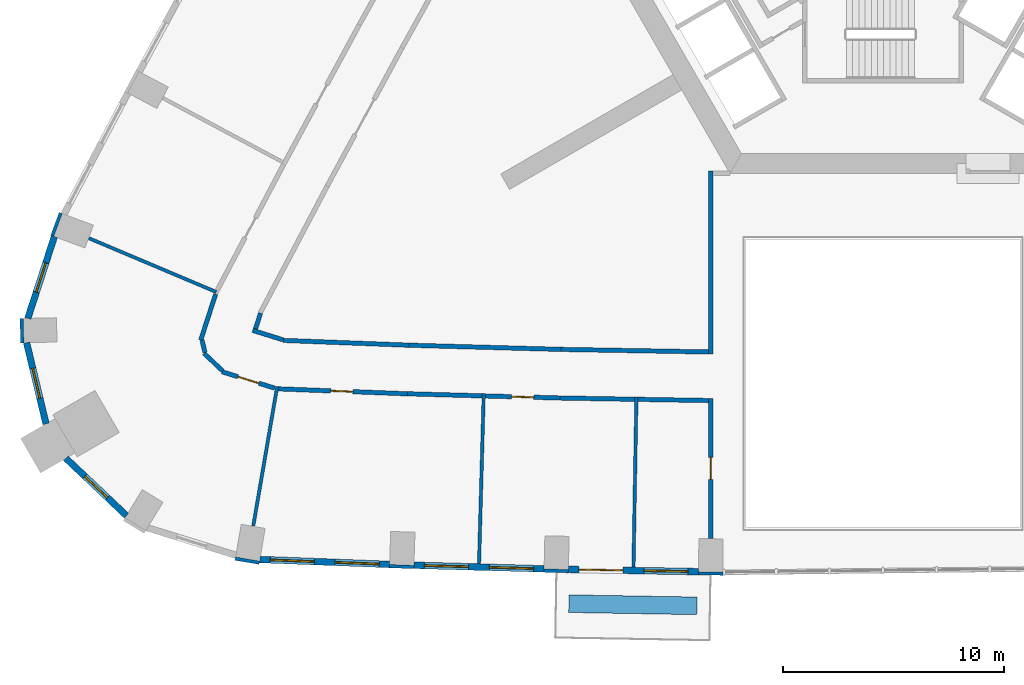
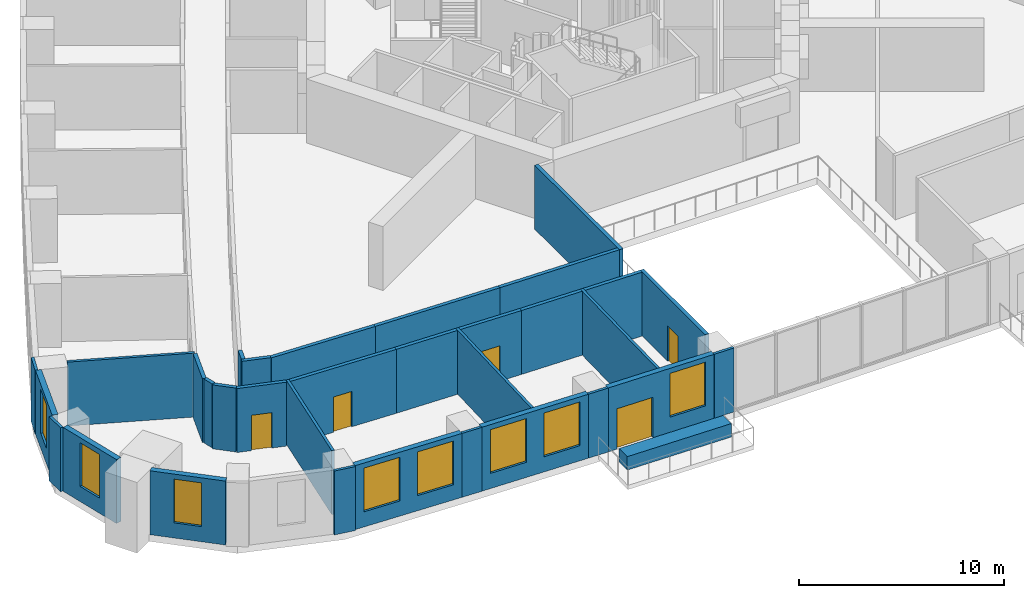
# One storey, part 4 of 14: 33 walls, 8 windows, 5 doors, 13 openings.
"""IFC4 building model written with IfcOpenShell, lengths in metres."""

from ifc_helpers import new_model, si_unit, direction, frame, frame_2d, origin, place, context, subcontext, project, spatial, rectangle, extrude, material, layer, layer_set, type_object, element, fill, save


model = new_model("IFC4")

# Units and contexts
model_context = context("Model", 3, precision=1e-05, world=origin(), true_north=direction((0.0, 1.0)))
body_context = subcontext(model_context, "Body", "Model", "MODEL_VIEW")
ifc_project = project(units=[si_unit("LENGTHUNIT", "METRE"), si_unit("AREAUNIT", "SQUARE_METRE"), si_unit("VOLUMEUNIT", "CUBIC_METRE"), si_unit("PLANEANGLEUNIT", "RADIAN"), si_unit("MASSUNIT", "GRAM", prefix="KILO")], contexts=[model_context])

# Site, building, storey
site_placement = place(None, origin())
site = spatial("IfcSite", under=ifc_project, at=site_placement, CompositionType="ELEMENT")
building_placement = place(site_placement, origin())
building = spatial("IfcBuilding", under=site, at=building_placement, Name="Entoto Arch Interchange Tower", CompositionType="ELEMENT")
storey_placement = place(building_placement, frame((0.0, 0.0, 116.0)))
storey = spatial("IfcBuildingStorey", under=building, at=storey_placement, Name="L25", CompositionType="ELEMENT", Elevation=116.0)

# Walls
ifc_material_1 = material(Name="Gypsum board partition on steel studs", Category="steel")
ifc_layer_1 = layer(ifc_material_1, 0.14990234375)
ifc_layer_set_1 = layer_set([ifc_layer_1], Name="Gypsum board partition on steel studs")
wall_type_1 = type_object("IfcWallType", Name="PARTITION 150", PredefinedType="PARTITIONING", material=ifc_layer_set_1)
wall_1_placement = place(storey_placement, frame((-30.174072265625, -14.866943359375, 0.0), z_axis=(0.0, 0.0, 1.0), x_axis=(-0.921262609517, 0.388941132185, 0.0)))
element("IfcWall", 1, at=wall_1_placement, inside=storey, type_object=wall_type_1, Name="wall:L25:p133", PredefinedType="PARTITIONING", context=body_context, shape_type="SweptSolid", body=[
    extrude(rectangle(XDim=6.257568359375, YDim=0.14990234375, at=frame_2d((3.12890625, 0.0))), origin(), (0.0, 0.0, 1.0), 3.800048828125),
])
wall_2_placement = place(storey_placement, frame((-27.419921875, -19.14794921875, 0.0), z_axis=(0.0, 0.0, 1.0), x_axis=(-0.169086648341, -0.985601189809, 0.0)))
element("IfcWall", 2, at=wall_2_placement, inside=storey, type_object=wall_type_1, Name="wall:L25:p134", PredefinedType="PARTITIONING", context=body_context, shape_type="SweptSolid", body=[
    extrude(rectangle(XDim=6.399169921875, YDim=0.14990234375, at=frame_2d((3.19970703125, 0.0))), origin(), (0.0, 0.0, 1.0), 3.800048828125),
])
wall_3_placement = place(storey_placement, frame((-18.071044921875, -19.468994140625, 0.0), z_axis=(0.0, 0.0, 1.0), x_axis=(-0.027648258523, -0.999617713829, 0.0)))
element("IfcWall", 3, at=wall_3_placement, inside=storey, type_object=wall_type_1, Name="wall:L25:p135", PredefinedType="PARTITIONING", context=body_context, shape_type="SweptSolid", body=[
    extrude(rectangle(XDim=7.699951171875, YDim=0.14990234375, at=frame_2d((3.85009765625, 0.0))), origin(), (0.0, 0.0, 1.0), 3.800048828125),
])
wall_4_placement = place(storey_placement, frame((-11.160888671875, -19.623046875, 0.0), z_axis=(0.0, 0.0, 1.0), x_axis=(-0.017153017473, -0.999852876173, 0.0)))
element("IfcWall", 4, at=wall_4_placement, inside=storey, type_object=wall_type_1, Name="wall:L25:p136", PredefinedType="PARTITIONING", context=body_context, shape_type="SweptSolid", body=[
    extrude(rectangle(XDim=7.7001953125, YDim=0.14990234375, at=frame_2d((3.85009765625, 0.0))), origin(), (0.0, 0.0, 1.0), 3.800048828125),
])
ifc_layer_2 = layer(ifc_material_1, 0.199951171875)
ifc_layer_set_2 = layer_set([ifc_layer_2], Name="Gypsum board partition on steel studs")
wall_type_2 = type_object("IfcWallType", Name="PARTITION 200", PredefinedType="PARTITIONING", material=ifc_layer_set_2)
wall_5_placement = place(storey_placement, frame((-28.1708984375, -15.821044921875, 0.0), z_axis=(0.0, 0.0, 1.0), x_axis=(-0.308053137273, -0.951369152651, 0.0)))
element("IfcWall", 5, at=wall_5_placement, inside=storey, type_object=wall_type_2, Name="wall:L25:p031", PredefinedType="PARTITIONING", context=body_context, shape_type="SweptSolid", body=[
    extrude(rectangle(XDim=0.753662109375, YDim=0.199951171875, at=frame_2d((0.376953125, 0.0))), origin(), (0.0, 0.0, 1.0), 3.800048828125),
])
wall_6_placement = place(storey_placement, frame((-28.529052734375, -16.60302734375, 0.0), z_axis=(0.0, 0.0, 1.0), x_axis=(0.954829998701, -0.297152609916, 0.0)))
element("IfcWall", 6, at=wall_6_placement, inside=storey, type_object=wall_type_2, Name="wall:L25:p032", PredefinedType="PARTITIONING", context=body_context, shape_type="SweptSolid", body=[
    extrude(rectangle(XDim=1.43701171875, YDim=0.199951171875, at=frame_2d((0.718505859375, 0.0))), origin(), (0.0, 0.0, 1.0), 3.800048828125),
])
wall_7_placement = place(storey_placement, frame((-27.162109375, -17.055908203125, 0.0), z_axis=(0.0, 0.0, 1.0), x_axis=(0.999270868304, -0.038180253525, 0.0)))
element("IfcWall", 7, at=wall_7_placement, inside=storey, type_object=wall_type_2, Name="wall:L25:p033", PredefinedType="PARTITIONING", context=body_context, shape_type="SweptSolid", body=[
    extrude(rectangle(XDim=5.710205078125, YDim=0.199951171875, at=frame_2d((2.85498046875, 0.0))), origin(), (0.0, 0.0, 1.0), 3.800048828125),
])
wall_8_placement = place(storey_placement, frame((-21.4560546875, -17.27392578125, 0.0), z_axis=(0.0, 0.0, 1.0), x_axis=(0.999618915549, -0.02760477632, 0.0)))
element("IfcWall", 8, at=wall_8_placement, inside=storey, type_object=wall_type_2, Name="wall:L25:p034", PredefinedType="PARTITIONING", context=body_context, shape_type="SweptSolid", body=[
    extrude(rectangle(XDim=6.8896484375, YDim=0.199951171875, at=frame_2d((3.44482421875, 0.0))), origin(), (0.0, 0.0, 1.0), 3.800048828125),
])
wall_9_placement = place(storey_placement, frame((-14.569091796875, -17.464111328125, 0.0), z_axis=(0.0, 0.0, 1.0), x_axis=(0.999851389672, -0.017239448129, 0.0)))
element("IfcWall", 9, at=wall_9_placement, inside=storey, type_object=wall_type_2, Name="wall:L25:p035", PredefinedType="PARTITIONING", context=body_context, shape_type="SweptSolid", body=[
    extrude(rectangle(XDim=6.670166015625, YDim=0.199951171875, at=frame_2d((3.3349609375, 0.0))), origin(), (0.0, 0.0, 1.0), 3.800048828125),
])

# Wall, opening, door
wall_10_placement = place(storey_placement, frame((-27.532958984375, -19.217041015625, 0.0), z_axis=(0.0, 0.0, 1.0), x_axis=(-0.954946345159, 0.296778499671, 0.0)))
wall_10 = element("IfcWall", 10, at=wall_10_placement, inside=storey, type_object=wall_type_2, Name="wall:L25:p069", PredefinedType="PARTITIONING", context=body_context, shape_type="SweptSolid", body=[
    extrude(rectangle(XDim=2.490234375, YDim=0.199951171875, at=frame_2d((1.2451171875, 0.0))), origin(), (0.0, 0.0, 1.0), 3.800048828125),
])
opening_1_placement = place(wall_10_placement, frame((0.7451171875, 0.0, 0.0)))
opening_1 = element("IfcOpeningElement", 11, at=opening_1_placement, cuts=wall_10, Name="Opening L25-D16", PredefinedType="OPENING", context=body_context, shape_type="SweptSolid", body=[
    extrude(rectangle(XDim=1.0, YDim=2.10009765625, at=frame_2d((0.5, 1.050048828125))), frame((0.0, 0.10986328125, 0.0), z_axis=(0.0, -1.0, 0.0), x_axis=(1.0, 0.0, 0.0)), (0.0, 0.0, 1.0), 0.219970703125),
])
ifc_material_2 = material(Name="Timber door leaf in Steel S235 frame", Category="steel")
door_type_1 = type_object("IfcDoorType", Name="DOOR DS-10 1000x2100", OperationType="SINGLE_SWING_LEFT", PredefinedType="DOOR", material=ifc_material_2)
door_1_placement = place(opening_1_placement, origin())
door_1 = element("IfcDoor", 12, at=door_1_placement, inside=storey, type_object=door_type_1, Name="door:L25:16", OperationType="SINGLE_SWING_LEFT", OverallHeight=2.10009765625, OverallWidth=1.0, PredefinedType="DOOR", context=body_context, shape_type="SweptSolid", body=[
    extrude(rectangle(XDim=1.0, YDim=2.10009765625, at=frame_2d((0.5, 1.050048828125))), frame((0.0, 0.02490234375, 0.0), z_axis=(0.0, -1.0, 0.0), x_axis=(1.0, 0.0, 0.0)), (0.0, 0.0, 1.0), 0.050048828125),
])
fill(opening_1, door_1)

# Walls
wall_11_placement = place(storey_placement, frame((-29.887939453125, -18.43896484375, 0.0), z_axis=(0.0, 0.0, 1.0), x_axis=(-0.726155646563, 0.687530346214, 0.0)))
element("IfcWall", 13, at=wall_11_placement, inside=storey, type_object=wall_type_2, Name="wall:L25:p070", PredefinedType="PARTITIONING", context=body_context, shape_type="SweptSolid", body=[
    extrude(rectangle(XDim=1.16943359375, YDim=0.199951171875, at=frame_2d((0.584716796875, 0.0))), origin(), (0.0, 0.0, 1.0), 3.800048828125),
])
wall_12_placement = place(storey_placement, frame((-30.68701171875, -17.60693359375, 0.0), z_axis=(0.0, 0.0, 1.0), x_axis=(-0.232504544059, 0.972595309978, 0.0)))
element("IfcWall", 14, at=wall_12_placement, inside=storey, type_object=wall_type_2, Name="wall:L25:p071", PredefinedType="PARTITIONING", context=body_context, shape_type="SweptSolid", body=[
    extrude(rectangle(XDim=0.5849609375, YDim=0.199951171875, at=frame_2d((0.29248046875, 0.0))), origin(), (0.0, 0.0, 1.0), 3.800048828125),
])
wall_13_placement = place(storey_placement, frame((-30.8779296875, -17.035888671875, 0.0), z_axis=(0.0, 0.0, 1.0), x_axis=(0.308592319841, 0.951194396606, 0.0)))
element("IfcWall", 15, at=wall_13_placement, inside=storey, type_object=wall_type_2, Name="wall:L25:p072", PredefinedType="PARTITIONING", context=body_context, shape_type="SweptSolid", body=[
    extrude(rectangle(XDim=2.180419921875, YDim=0.199951171875, at=frame_2d((1.09033203125, 0.0))), origin(), (0.0, 0.0, 1.0), 3.800048828125),
])
wall_14_placement = place(storey_placement, frame((-18.14892578125, -19.56591796875, 0.0), z_axis=(0.0, 0.0, 1.0), x_axis=(-0.999621568347, 0.027508545868, 0.0)))
element("IfcWall", 16, at=wall_14_placement, inside=storey, type_object=wall_type_2, Name="wall:L25:p073", PredefinedType="PARTITIONING", context=body_context, shape_type="SweptSolid", body=[
    extrude(rectangle(XDim=3.38134765625, YDim=0.199951171875, at=frame_2d((1.690673828125, 0.0))), origin(), (0.0, 0.0, 1.0), 3.800048828125),
])

# Wall, opening, door
wall_15_placement = place(storey_placement, frame((-21.529052734375, -19.472900390625, 0.0), z_axis=(0.0, 0.0, 1.0), x_axis=(-0.999270076349, 0.038200975307, 0.0)))
wall_15 = element("IfcWall", 17, at=wall_15_placement, inside=storey, type_object=wall_type_2, Name="wall:L25:p074", PredefinedType="PARTITIONING", context=body_context, shape_type="SweptSolid", body=[
    extrude(rectangle(XDim=5.937255859375, YDim=0.199951171875, at=frame_2d((2.96875, 0.0))), origin(), (0.0, 0.0, 1.0), 3.800048828125),
])
opening_2_placement = place(wall_15_placement, frame((2.468994140625, 0.0, 0.0)))
opening_2 = element("IfcOpeningElement", 18, at=opening_2_placement, cuts=wall_15, Name="Opening L25-D17", PredefinedType="OPENING", context=body_context, shape_type="SweptSolid", body=[
    extrude(rectangle(XDim=1.0, YDim=2.10009765625, at=frame_2d((0.5, 1.050048828125))), frame((0.0, 0.10986328125, 0.0), z_axis=(0.0, -1.0, 0.0), x_axis=(1.0, 0.0, 0.0)), (0.0, 0.0, 1.0), 0.219970703125),
])
door_2_placement = place(opening_2_placement, origin())
door_2 = element("IfcDoor", 19, at=door_2_placement, inside=storey, type_object=door_type_1, Name="door:L25:17", OperationType="SINGLE_SWING_LEFT", OverallHeight=2.10009765625, OverallWidth=1.0, PredefinedType="DOOR", context=body_context, shape_type="SweptSolid", body=[
    extrude(rectangle(XDim=1.0, YDim=2.10009765625, at=frame_2d((0.5, 1.050048828125))), frame((0.0, 0.02490234375, 0.0), z_axis=(0.0, -1.0, 0.0), x_axis=(1.0, 0.0, 0.0)), (0.0, 0.0, 1.0), 0.050048828125),
])
fill(opening_2, door_2)

# Wall
wall_16_placement = place(storey_placement, frame((-11.237060546875, -19.721923828125, 0.0), z_axis=(0.0, 0.0, 1.0), x_axis=(-0.999853581081, 0.017111878879, 0.0)))
element("IfcWall", 20, at=wall_16_placement, inside=storey, type_object=wall_type_2, Name="wall:L25:p075", PredefinedType="PARTITIONING", context=body_context, shape_type="SweptSolid", body=[
    extrude(rectangle(XDim=3.38134765625, YDim=0.199951171875, at=frame_2d((1.690673828125, 0.0))), origin(), (0.0, 0.0, 1.0), 3.800048828125),
])

# Wall, opening, door
wall_17_placement = place(storey_placement, frame((-14.617919921875, -19.6640625, 0.0), z_axis=(0.0, 0.0, 1.0), x_axis=(-0.999621786796, 0.027500606598, 0.0)))
wall_17 = element("IfcWall", 21, at=wall_17_placement, inside=storey, type_object=wall_type_2, Name="wall:L25:p076", PredefinedType="PARTITIONING", context=body_context, shape_type="SweptSolid", body=[
    extrude(rectangle(XDim=3.38232421875, YDim=0.199951171875, at=frame_2d((1.691162109375, 0.0))), origin(), (0.0, 0.0, 1.0), 3.800048828125),
])
opening_3_placement = place(wall_17_placement, frame((1.19091796875, 0.0, 0.0)))
opening_3 = element("IfcOpeningElement", 22, at=opening_3_placement, cuts=wall_17, Name="Opening L25-D18", PredefinedType="OPENING", context=body_context, shape_type="SweptSolid", body=[
    extrude(rectangle(XDim=1.0, YDim=2.10009765625, at=frame_2d((0.5, 1.050048828125))), frame((0.0, 0.10986328125, 0.0), z_axis=(0.0, -1.0, 0.0), x_axis=(1.0, 0.0, 0.0)), (0.0, 0.0, 1.0), 0.219970703125),
])
door_3_placement = place(opening_3_placement, origin())
door_3 = element("IfcDoor", 23, at=door_3_placement, inside=storey, type_object=door_type_1, Name="door:L25:18", OperationType="SINGLE_SWING_LEFT", OverallHeight=2.10009765625, OverallWidth=1.0, PredefinedType="DOOR", context=body_context, shape_type="SweptSolid", body=[
    extrude(rectangle(XDim=1.0, YDim=2.10009765625, at=frame_2d((0.5, 1.050048828125))), frame((0.0, 0.02490234375, 0.0), z_axis=(0.0, -1.0, 0.0), x_axis=(1.0, 0.0, 0.0)), (0.0, 0.0, 1.0), 0.050048828125),
])
fill(opening_3, door_3)

# Walls
wall_18_placement = place(storey_placement, frame((-7.89990234375, -19.779052734375, 0.0), z_axis=(0.0, 0.0, 1.0), x_axis=(-0.999851582532, 0.017228259004, 0.0)))
element("IfcWall", 24, at=wall_18_placement, inside=storey, type_object=wall_type_2, Name="wall:L25:p077", PredefinedType="PARTITIONING", context=body_context, shape_type="SweptSolid", body=[
    extrude(rectangle(XDim=3.1884765625, YDim=0.199951171875, at=frame_2d((1.59423828125, 0.0))), origin(), (0.0, 0.0, 1.0), 3.800048828125),
])
wall_19_placement = place(storey_placement, frame((-7.800048828125, -17.680908203125, 0.0), z_axis=(0.0, 0.0, 1.0), x_axis=(0.0, 1.0, 0.0)))
element("IfcWall", 25, at=wall_19_placement, inside=storey, type_object=wall_type_2, Name="wall:L25:p110", PredefinedType="PARTITIONING", context=body_context, shape_type="SweptSolid", body=[
    extrude(rectangle(XDim=8.281982421875, YDim=0.199951171875, at=frame_2d((4.14111328125, 0.0))), origin(), (0.0, 0.0, 1.0), 3.800048828125),
])

# Wall, opening, door
wall_20_placement = place(storey_placement, frame((-7.800048828125, -26.011962890625, 0.0), z_axis=(0.0, 0.0, 1.0), x_axis=(0.0, 1.0, 0.0)))
wall_20 = element("IfcWall", 26, at=wall_20_placement, inside=storey, type_object=wall_type_2, Name="wall:L25:p113", PredefinedType="PARTITIONING", context=body_context, shape_type="SweptSolid", body=[
    extrude(rectangle(XDim=6.3310546875, YDim=0.199951171875, at=frame_2d((3.16552734375, 0.0))), origin(), (0.0, 0.0, 1.0), 3.800048828125),
])
opening_4_placement = place(wall_20_placement, frame((2.666015625, 0.0, 0.0)))
opening_4 = element("IfcOpeningElement", 27, at=opening_4_placement, cuts=wall_20, Name="Opening L25-D19", PredefinedType="OPENING", context=body_context, shape_type="SweptSolid", body=[
    extrude(rectangle(XDim=1.0, YDim=2.10009765625, at=frame_2d((0.5, 1.050048828125))), frame((0.0, 0.10986328125, 0.0), z_axis=(0.0, -1.0, 0.0), x_axis=(1.0, 0.0, 0.0)), (0.0, 0.0, 1.0), 0.219970703125),
])
door_4_placement = place(opening_4_placement, origin())
door_4 = element("IfcDoor", 28, at=door_4_placement, inside=storey, type_object=door_type_1, Name="door:L25:19", OperationType="SINGLE_SWING_LEFT", OverallHeight=2.10009765625, OverallWidth=1.0, PredefinedType="DOOR", context=body_context, shape_type="SweptSolid", body=[
    extrude(rectangle(XDim=1.0, YDim=2.10009765625, at=frame_2d((0.5, 1.050048828125))), frame((0.0, 0.02490234375, 0.0), z_axis=(0.0, -1.0, 0.0), x_axis=(1.0, 0.0, 0.0)), (0.0, 0.0, 1.0), 0.050048828125),
])
fill(opening_4, door_4)

# Wall
ifc_material_3 = material(Name="Board-marked precast concrete C50/60", Category="concrete")
ifc_layer_3 = layer(ifc_material_3, 0.800048828125)
ifc_layer_set_3 = layer_set([ifc_layer_3], Name="Board-marked precast concrete C50/60")
wall_type_3 = type_object("IfcWallType", Name="PLANTER RC 800 Juniperus procera", PredefinedType="STANDARD", material=ifc_layer_set_3)
wall_21_placement = place(storey_placement, frame((-14.218994140625, -28.971923828125, 0.0), z_axis=(0.0, 0.0, 1.0), x_axis=(0.999853744664, -0.017102318012, 0.0)))
element("IfcWall", 29, at=wall_21_placement, inside=storey, type_object=wall_type_3, Name="Planter S-03 L25", PredefinedType="STANDARD", context=body_context, shape_type="SweptSolid", body=[
    extrude(rectangle(XDim=5.795654296875, YDim=0.800048828125, at=frame_2d((2.89794921875, 0.0))), origin(), (0.0, 0.0, 1.0), 0.800048828125),
])

# Wall, openings, windows
ifc_material_4 = material(Name="Welded tuff (ignimbrite) cladding, warm buff", Category="masonry")
ifc_layer_4 = layer(ifc_material_4, 0.300048828125)
ifc_layer_set_4 = layer_set([ifc_layer_4], Name="Welded tuff (ignimbrite) cladding, warm buff")
wall_type_4 = type_object("IfcWallType", Name="STONE INFILL WALL 300", PredefinedType="STANDARD", material=ifc_layer_set_4)
wall_22_placement = place(storey_placement, frame((-28.205078125, -26.972900390625, 0.0), z_axis=(0.0, 0.0, 1.0), x_axis=(0.999266319694, -0.03829911651, 0.0)))
wall_22 = element("IfcWall", 30, at=wall_22_placement, inside=storey, type_object=wall_type_4, Name="Facade wall S-01 L25", PredefinedType="STANDARD", context=body_context, shape_type="SweptSolid", body=[
    extrude(rectangle(XDim=5.87744140625, YDim=0.300048828125, at=frame_2d((2.938720703125, 0.0))), origin(), (0.0, 0.0, 1.0), 3.800048828125),
])
opening_5_placement = place(wall_22_placement, frame((0.468994140625, 0.0, 0.89990234375)))
opening_5 = element("IfcOpeningElement", 31, at=opening_5_placement, cuts=wall_22, Name="Opening WO-C", PredefinedType="OPENING", context=body_context, shape_type="SweptSolid", body=[
    extrude(rectangle(XDim=2.0, YDim=2.60009765625, at=frame_2d((1.0, 1.300048828125))), frame((0.0, 0.16015625, 0.0), z_axis=(0.0, -1.0, 0.0), x_axis=(1.0, 0.0, 0.0)), (0.0, 0.0, 1.0), 0.320068359375),
])
opening_6_placement = place(wall_22_placement, frame((3.407958984375, 0.0, 0.89990234375)))
opening_6 = element("IfcOpeningElement", 32, at=opening_6_placement, cuts=wall_22, Name="Opening WO-C", PredefinedType="OPENING", context=body_context, shape_type="SweptSolid", body=[
    extrude(rectangle(XDim=2.0, YDim=2.60009765625, at=frame_2d((1.0, 1.300048828125))), frame((0.0, 0.16015625, 0.0), z_axis=(0.0, -1.0, 0.0), x_axis=(1.0, 0.0, 0.0)), (0.0, 0.0, 1.0), 0.320068359375),
])
ifc_material_5 = material(Name="Clear glass, low-e double glazed", Category="glass")
window_type_1 = type_object("IfcWindowType", Name="WINDOW WO-C 2000x2600", PartitioningType="DOUBLE_PANEL_VERTICAL", PredefinedType="WINDOW", material=ifc_material_5)
window_1_placement = place(opening_5_placement, origin())
window_1 = element("IfcWindow", 33, at=window_1_placement, inside=storey, type_object=window_type_1, Name="Window WO-C S-01 L25", OverallHeight=2.60009765625, OverallWidth=2.0, PartitioningType="SINGLE_PANEL", PredefinedType="WINDOW", context=body_context, shape_type="SweptSolid", body=[
    extrude(rectangle(XDim=2.0, YDim=2.60009765625, at=frame_2d((1.0, 1.300048828125))), frame((0.0, 0.030029296875, 0.0), z_axis=(0.0, -1.0, 0.0), x_axis=(1.0, 0.0, 0.0)), (0.0, 0.0, 1.0), 0.06005859375),
])
fill(opening_5, window_1)
window_2_placement = place(opening_6_placement, origin())
window_2 = element("IfcWindow", 34, at=window_2_placement, inside=storey, type_object=window_type_1, Name="Window WO-C S-01 L25", OverallHeight=2.60009765625, OverallWidth=2.0, PartitioningType="SINGLE_PANEL", PredefinedType="WINDOW", context=body_context, shape_type="SweptSolid", body=[
    extrude(rectangle(XDim=2.0, YDim=2.60009765625, at=frame_2d((1.0, 1.300048828125))), frame((0.0, 0.030029296875, 0.0), z_axis=(0.0, -1.0, 0.0), x_axis=(1.0, 0.0, 0.0)), (0.0, 0.0, 1.0), 0.06005859375),
])
fill(opening_6, window_2)

wall_23_placement = place(storey_placement, frame((-21.235107421875, -27.23388671875, 0.0), z_axis=(0.0, 0.0, 1.0), x_axis=(0.999617542368, -0.027654456983, 0.0)))
wall_23 = element("IfcWall", 35, at=wall_23_placement, inside=storey, type_object=wall_type_4, Name="Facade wall S-02 L25", PredefinedType="STANDARD", context=body_context, shape_type="SweptSolid", body=[
    extrude(rectangle(XDim=5.897216796875, YDim=0.300048828125, at=frame_2d((2.94873046875, 0.0))), origin(), (0.0, 0.0, 1.0), 3.800048828125),
])
opening_7_placement = place(wall_23_placement, frame((0.47412109375, 0.0, 0.89990234375)))
opening_7 = element("IfcOpeningElement", 36, at=opening_7_placement, cuts=wall_23, Name="Opening WO-C", PredefinedType="OPENING", context=body_context, shape_type="SweptSolid", body=[
    extrude(rectangle(XDim=2.0, YDim=2.60009765625, at=frame_2d((1.0, 1.300048828125))), frame((0.0, 0.16015625, 0.0), z_axis=(0.0, -1.0, 0.0), x_axis=(1.0, 0.0, 0.0)), (0.0, 0.0, 1.0), 0.320068359375),
])
opening_8_placement = place(wall_23_placement, frame((3.423095703125, 0.0, 0.89990234375)))
opening_8 = element("IfcOpeningElement", 37, at=opening_8_placement, cuts=wall_23, Name="Opening WO-C", PredefinedType="OPENING", context=body_context, shape_type="SweptSolid", body=[
    extrude(rectangle(XDim=2.0, YDim=2.60009765625, at=frame_2d((1.0, 1.300048828125))), frame((0.0, 0.16015625, 0.0), z_axis=(0.0, -1.0, 0.0), x_axis=(1.0, 0.0, 0.0)), (0.0, 0.0, 1.0), 0.320068359375),
])
window_3_placement = place(opening_7_placement, origin())
window_3 = element("IfcWindow", 38, at=window_3_placement, inside=storey, type_object=window_type_1, Name="Window WO-C S-02 L25", OverallHeight=2.60009765625, OverallWidth=2.0, PartitioningType="SINGLE_PANEL", PredefinedType="WINDOW", context=body_context, shape_type="SweptSolid", body=[
    extrude(rectangle(XDim=2.0, YDim=2.60009765625, at=frame_2d((1.0, 1.300048828125))), frame((0.0, 0.030029296875, 0.0), z_axis=(0.0, -1.0, 0.0), x_axis=(1.0, 0.0, 0.0)), (0.0, 0.0, 1.0), 0.06005859375),
])
fill(opening_7, window_3)
window_4_placement = place(opening_8_placement, origin())
window_4 = element("IfcWindow", 39, at=window_4_placement, inside=storey, type_object=window_type_1, Name="Window WO-C S-02 L25", OverallHeight=2.60009765625, OverallWidth=2.0, PartitioningType="SINGLE_PANEL", PredefinedType="WINDOW", context=body_context, shape_type="SweptSolid", body=[
    extrude(rectangle(XDim=2.0, YDim=2.60009765625, at=frame_2d((1.0, 1.300048828125))), frame((0.0, 0.030029296875, 0.0), z_axis=(0.0, -1.0, 0.0), x_axis=(1.0, 0.0, 0.0)), (0.0, 0.0, 1.0), 0.06005859375),
])
fill(opening_8, window_4)

# Wall, openings, door, window
wall_24_placement = place(storey_placement, frame((-14.241943359375, -27.4208984375, 0.0), z_axis=(0.0, 0.0, 1.0), x_axis=(0.999850142513, -0.017311629508, 0.0)))
wall_24 = element("IfcWall", 40, at=wall_24_placement, inside=storey, type_object=wall_type_4, Name="Facade wall S-03 L25", PredefinedType="STANDARD", context=body_context, shape_type="SweptSolid", body=[
    extrude(rectangle(XDim=5.89501953125, YDim=0.300048828125, at=frame_2d((2.947509765625, 0.0))), origin(), (0.0, 0.0, 1.0), 3.800048828125),
])
opening_9_placement = place(wall_24_placement, frame((0.47412109375, 0.0, 0.0)))
opening_9 = element("IfcOpeningElement", 41, at=opening_9_placement, cuts=wall_24, Name="Opening DB-S-03-L25", PredefinedType="OPENING", context=body_context, shape_type="SweptSolid", body=[
    extrude(rectangle(XDim=2.0, YDim=2.39990234375, at=frame_2d((1.0, 1.199951171875))), frame((0.0, 0.16015625, 0.0), z_axis=(0.0, -1.0, 0.0), x_axis=(1.0, 0.0, 0.0)), (0.0, 0.0, 1.0), 0.320068359375),
])
opening_10_placement = place(wall_24_placement, frame((3.4208984375, 0.0, 0.89990234375)))
opening_10 = element("IfcOpeningElement", 42, at=opening_10_placement, cuts=wall_24, Name="Opening WO-C", PredefinedType="OPENING", context=body_context, shape_type="SweptSolid", body=[
    extrude(rectangle(XDim=2.0, YDim=2.60009765625, at=frame_2d((1.0, 1.300048828125))), frame((0.0, 0.16015625, 0.0), z_axis=(0.0, -1.0, 0.0), x_axis=(1.0, 0.0, 0.0)), (0.0, 0.0, 1.0), 0.320068359375),
])
ifc_material_6 = material(Name="Aluminium and clear glass, anodised", Category="aluminium")
door_type_2 = type_object("IfcDoorType", Name="BALCONY DOOR DB 2000x2400", OperationType="SLIDING_TO_LEFT", PredefinedType="DOOR", material=ifc_material_6)
door_5_placement = place(opening_9_placement, origin())
door_5 = element("IfcDoor", 43, at=door_5_placement, inside=storey, type_object=door_type_2, Name="Balcony door S-03 L25", OperationType="SLIDING_TO_LEFT", OverallHeight=2.39990234375, OverallWidth=2.0, PredefinedType="DOOR", context=body_context, shape_type="SweptSolid", body=[
    extrude(rectangle(XDim=2.0, YDim=2.39990234375, at=frame_2d((1.0, 1.199951171875))), frame((0.0, 0.02490234375, 0.0), z_axis=(0.0, -1.0, 0.0), x_axis=(1.0, 0.0, 0.0)), (0.0, 0.0, 1.0), 0.050048828125),
])
fill(opening_9, door_5)
window_5_placement = place(opening_10_placement, origin())
window_5 = element("IfcWindow", 44, at=window_5_placement, inside=storey, type_object=window_type_1, Name="Window WO-C S-03 L25", OverallHeight=2.60009765625, OverallWidth=2.0, PartitioningType="SINGLE_PANEL", PredefinedType="WINDOW", context=body_context, shape_type="SweptSolid", body=[
    extrude(rectangle(XDim=2.0, YDim=2.60009765625, at=frame_2d((1.0, 1.300048828125))), frame((0.0, 0.030029296875, 0.0), z_axis=(0.0, -1.0, 0.0), x_axis=(1.0, 0.0, 0.0)), (0.0, 0.0, 1.0), 0.06005859375),
])
fill(opening_10, window_5)

# Wall, opening, window
wall_25_placement = place(storey_placement, frame((-37.508056640625, -12.35791015625, 0.0), z_axis=(0.0, 0.0, 1.0), x_axis=(-0.308484760821, -0.951229284842, 0.0)))
wall_25 = element("IfcWall", 45, at=wall_25_placement, inside=storey, type_object=wall_type_4, Name="Facade wall SW-01 L25", PredefinedType="STANDARD", context=body_context, shape_type="SweptSolid", body=[
    extrude(rectangle(XDim=3.89306640625, YDim=0.300048828125, at=frame_2d((1.946533203125, 0.0))), origin(), (0.0, 0.0, 1.0), 3.800048828125),
])
opening_11_placement = place(wall_25_placement, frame((1.24609375, 0.0, 0.89990234375)))
opening_11 = element("IfcOpeningElement", 46, at=opening_11_placement, cuts=wall_25, Name="Opening WO-B", PredefinedType="OPENING", context=body_context, shape_type="SweptSolid", body=[
    extrude(rectangle(XDim=1.39990234375, YDim=2.60009765625, at=frame_2d((0.699951171875, 1.300048828125))), frame((0.0, 0.16015625, 0.0), z_axis=(0.0, -1.0, 0.0), x_axis=(1.0, 0.0, 0.0)), (0.0, 0.0, 1.0), 0.320068359375),
])
window_type_2 = type_object("IfcWindowType", Name="WINDOW WO-B 1400x2600", PartitioningType="DOUBLE_PANEL_VERTICAL", PredefinedType="WINDOW", material=ifc_material_5)
window_6_placement = place(opening_11_placement, origin())
window_6 = element("IfcWindow", 47, at=window_6_placement, inside=storey, type_object=window_type_2, Name="Window WO-B SW-01 L25", OverallHeight=2.60009765625, OverallWidth=1.39990234375, PartitioningType="SINGLE_PANEL", PredefinedType="WINDOW", context=body_context, shape_type="SweptSolid", body=[
    extrude(rectangle(XDim=1.39990234375, YDim=2.60009765625, at=frame_2d((0.699951171875, 1.300048828125))), frame((0.0, 0.030029296875, 0.0), z_axis=(0.0, -1.0, 0.0), x_axis=(1.0, 0.0, 0.0)), (0.0, 0.0, 1.0), 0.06005859375),
])
fill(opening_11, window_6)

wall_26_placement = place(storey_placement, frame((-38.762939453125, -17.160888671875, 0.0), z_axis=(0.0, 0.0, 1.0), x_axis=(0.232654276823, -0.972559503309, 0.0)))
wall_26 = element("IfcWall", 48, at=wall_26_placement, inside=storey, type_object=wall_type_4, Name="Facade wall SW-02 L25", PredefinedType="STANDARD", context=body_context, shape_type="SweptSolid", body=[
    extrude(rectangle(XDim=3.77783203125, YDim=0.300048828125, at=frame_2d((1.888916015625, 0.0))), origin(), (0.0, 0.0, 1.0), 3.800048828125),
])
opening_12_placement = place(wall_26_placement, frame((1.18896484375, 0.0, 0.89990234375)))
opening_12 = element("IfcOpeningElement", 49, at=opening_12_placement, cuts=wall_26, Name="Opening WO-B", PredefinedType="OPENING", context=body_context, shape_type="SweptSolid", body=[
    extrude(rectangle(XDim=1.39990234375, YDim=2.60009765625, at=frame_2d((0.699951171875, 1.300048828125))), frame((0.0, 0.16015625, 0.0), z_axis=(0.0, -1.0, 0.0), x_axis=(1.0, 0.0, 0.0)), (0.0, 0.0, 1.0), 0.320068359375),
])
window_7_placement = place(opening_12_placement, origin())
window_7 = element("IfcWindow", 50, at=window_7_placement, inside=storey, type_object=window_type_2, Name="Window WO-B SW-02 L25", OverallHeight=2.60009765625, OverallWidth=1.39990234375, PartitioningType="SINGLE_PANEL", PredefinedType="WINDOW", context=body_context, shape_type="SweptSolid", body=[
    extrude(rectangle(XDim=1.39990234375, YDim=2.60009765625, at=frame_2d((0.699951171875, 1.300048828125))), frame((0.0, 0.030029296875, 0.0), z_axis=(0.0, -1.0, 0.0), x_axis=(1.0, 0.0, 0.0)), (0.0, 0.0, 1.0), 0.06005859375),
])
fill(opening_12, window_7)

wall_27_placement = place(storey_placement, frame((-36.985107421875, -22.39208984375, 0.0), z_axis=(0.0, 0.0, 1.0), x_axis=(0.726076674532, -0.687613745281, 0.0)))
wall_27 = element("IfcWall", 51, at=wall_27_placement, inside=storey, type_object=wall_type_4, Name="Facade wall SW-03 L25", PredefinedType="STANDARD", context=body_context, shape_type="SweptSolid", body=[
    extrude(rectangle(XDim=3.776611328125, YDim=0.300048828125, at=frame_2d((1.88818359375, 0.0))), origin(), (0.0, 0.0, 1.0), 3.800048828125),
])
opening_13_placement = place(wall_27_placement, frame((1.18798828125, 0.0, 0.89990234375)))
opening_13 = element("IfcOpeningElement", 52, at=opening_13_placement, cuts=wall_27, Name="Opening WO-B", PredefinedType="OPENING", context=body_context, shape_type="SweptSolid", body=[
    extrude(rectangle(XDim=1.39990234375, YDim=2.60009765625, at=frame_2d((0.699951171875, 1.300048828125))), frame((0.0, 0.16015625, 0.0), z_axis=(0.0, -1.0, 0.0), x_axis=(1.0, 0.0, 0.0)), (0.0, 0.0, 1.0), 0.320068359375),
])
window_8_placement = place(opening_13_placement, origin())
window_8 = element("IfcWindow", 53, at=window_8_placement, inside=storey, type_object=window_type_2, Name="Window WO-B SW-03 L25", OverallHeight=2.60009765625, OverallWidth=1.39990234375, PartitioningType="SINGLE_PANEL", PredefinedType="WINDOW", context=body_context, shape_type="SweptSolid", body=[
    extrude(rectangle(XDim=1.39990234375, YDim=2.60009765625, at=frame_2d((0.699951171875, 1.300048828125))), frame((0.0, 0.030029296875, 0.0), z_axis=(0.0, -1.0, 0.0), x_axis=(1.0, 0.0, 0.0)), (0.0, 0.0, 1.0), 0.06005859375),
])
fill(opening_13, window_8)

# Walls
ifc_layer_5 = layer(ifc_material_4, 0.14990234375)
ifc_layer_set_5 = layer_set([ifc_layer_5], Name="Welded tuff (ignimbrite) cladding, warm buff")
wall_type_5 = type_object("IfcWallType", Name="STONE PIER CLADDING 150", PredefinedType="STANDARD", material=ifc_layer_set_5)
wall_28_placement = place(storey_placement, frame((-37.218017578125, -11.29296875, 0.0), z_axis=(0.0, 0.0, 1.0), x_axis=(-0.347205967468, -0.937788897436, 0.0)))
element("IfcWall", 54, at=wall_28_placement, inside=storey, type_object=wall_type_5, Name="Stone pier NW09 L25", PredefinedType="STANDARD", context=body_context, shape_type="SweptSolid", body=[
    extrude(rectangle(XDim=1.100341796875, YDim=0.14990234375, at=frame_2d((0.55029296875, 0.0))), origin(), (0.0, 0.0, 1.0), 3.800048828125),
])
wall_29_placement = place(storey_placement, frame((-29.31396484375, -26.93505859375, 0.0), z_axis=(0.0, 0.0, 1.0), x_axis=(0.985763338892, -0.168138751323, 0.0)))
element("IfcWall", 55, at=wall_29_placement, inside=storey, type_object=wall_type_5, Name="Stone pier S01 L25", PredefinedType="STANDARD", context=body_context, shape_type="SweptSolid", body=[
    extrude(rectangle(XDim=1.1005859375, YDim=0.14990234375, at=frame_2d((0.55029296875, 0.0))), origin(), (0.0, 0.0, 1.0), 3.800048828125),
])
wall_30_placement = place(storey_placement, frame((-22.3359375, -27.27490234375, 0.0), z_axis=(0.0, 0.0, 1.0), x_axis=(0.999368780235, -0.035525217693, 0.0)))
element("IfcWall", 56, at=wall_30_placement, inside=storey, type_object=wall_type_5, Name="Stone pier S02 L25", PredefinedType="STANDARD", context=body_context, shape_type="SweptSolid", body=[
    extrude(rectangle(XDim=1.099609375, YDim=0.14990234375, at=frame_2d((0.5498046875, 0.0))), origin(), (0.0, 0.0, 1.0), 3.800048828125),
])
wall_31_placement = place(storey_placement, frame((-15.343017578125, -27.47412109375, 0.0), z_axis=(0.0, 0.0, 1.0), x_axis=(0.999723421029, -0.023517683673, 0.0)))
element("IfcWall", 57, at=wall_31_placement, inside=storey, type_object=wall_type_5, Name="Stone pier S03 L25", PredefinedType="STANDARD", context=body_context, shape_type="SweptSolid", body=[
    extrude(rectangle(XDim=1.100341796875, YDim=0.14990234375, at=frame_2d((0.55029296875, 0.0))), origin(), (0.0, 0.0, 1.0), 3.800048828125),
])
wall_32_placement = place(storey_placement, frame((-8.34912109375, -27.60205078125, 0.0), z_axis=(0.0, 0.0, 1.0), x_axis=(0.99995860686, -0.009098602504, 0.0)))
element("IfcWall", 58, at=wall_32_placement, inside=storey, type_object=wall_type_5, Name="Stone pier S04 L25", PredefinedType="STANDARD", context=body_context, shape_type="SweptSolid", body=[
    extrude(rectangle(XDim=1.10009765625, YDim=0.14990234375, at=frame_2d((0.550048828125, 0.0))), origin(), (0.0, 0.0, 1.0), 3.800048828125),
])
wall_33_placement = place(storey_placement, frame((-38.985107421875, -16.06591796875, 0.0), z_axis=(0.0, 0.0, 1.0), x_axis=(0.023739424163, -0.999718180159, 0.0)))
element("IfcWall", 59, at=wall_33_placement, inside=storey, type_object=wall_type_5, Name="Stone pier SW1 L25", PredefinedType="STANDARD", context=body_context, shape_type="SweptSolid", body=[
    extrude(rectangle(XDim=1.100341796875, YDim=0.14990234375, at=frame_2d((0.55029296875, 0.0))), origin(), (0.0, 0.0, 1.0), 3.800048828125),
])

save(model, "model.ifc")
